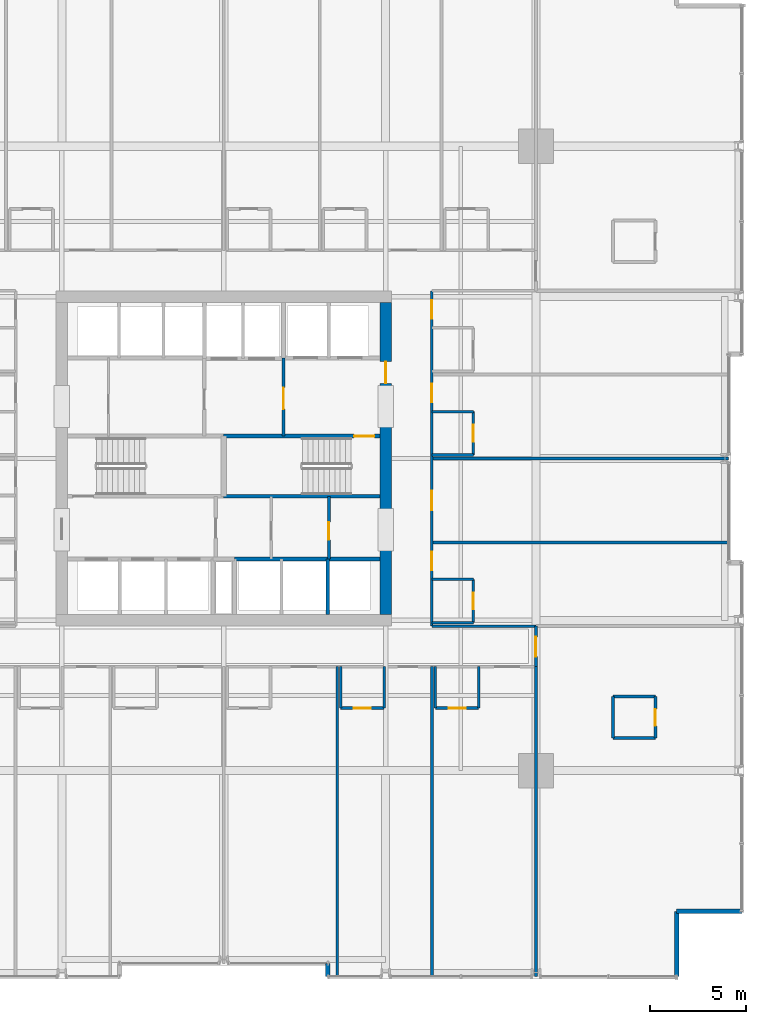
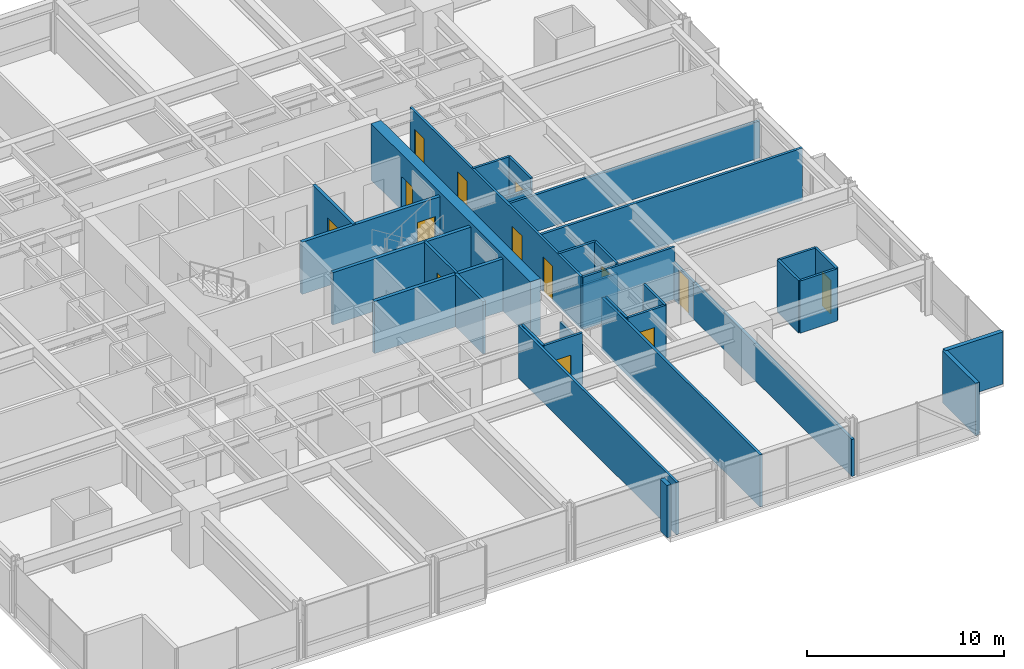
# One storey, part 32 of 39: 34 walls, 14 doors, 14 openings.
"""IFC4 building model written with IfcOpenShell, lengths in metres."""

from ifc_helpers import new_model, si_unit, direction, frame, frame_2d, origin, place, context, subcontext, project, spatial, rectangle, extrude, material, layer, layer_set, type_object, element, fill, save


model = new_model("IFC4")

# Units and contexts
model_context = context("Model", 3, precision=1e-05, world=origin(), true_north=direction((0.0, 1.0)))
body_context = subcontext(model_context, "Body", "Model", "MODEL_VIEW")
ifc_project = project(units=[si_unit("LENGTHUNIT", "METRE"), si_unit("AREAUNIT", "SQUARE_METRE"), si_unit("VOLUMEUNIT", "CUBIC_METRE"), si_unit("PLANEANGLEUNIT", "RADIAN"), si_unit("MASSUNIT", "GRAM", prefix="KILO")], contexts=[model_context])

# Site, building, storey
site_placement = place(None, origin())
site = spatial("IfcSite", under=ifc_project, at=site_placement, CompositionType="ELEMENT")
building_placement = place(site_placement, origin())
building = spatial("IfcBuilding", under=site, at=building_placement, Name="Drelvath Grand Hotel", CompositionType="ELEMENT")
storey_placement = place(building_placement, frame((0.0, 0.0, 40.199951171875)))
storey = spatial("IfcBuildingStorey", under=building, at=storey_placement, Name="L08", CompositionType="ELEMENT", Elevation=40.199951171875)

# Walls
ifc_material_1 = material(Name="Concrete C40/50", Category="concrete")
ifc_layer_1 = layer(ifc_material_1, 0.199951171875)
ifc_layer_set_1 = layer_set([ifc_layer_1], Name="Concrete C40/50")
wall_type_1 = type_object("IfcWallType", Name="Core Hoistway Fire Wall 200", PredefinedType="SOLIDWALL", material=ifc_layer_set_1)
wall_1_placement = place(storey_placement, frame((8.10009765625, 21.780029296875, 0.0), z_axis=(0.0, 0.0, 1.0), x_axis=(-1.0, 0.0, 0.0)))
element("IfcWall", 1, at=wall_1_placement, inside=storey, type_object=wall_type_1, Name="L08 Bank 2 Hoistway Wall", PredefinedType="SOLIDWALL", context=body_context, shape_type="SweptSolid", body=[
    extrude(rectangle(XDim=7.550048828125, YDim=0.199951171875, at=frame_2d((3.77490234375, 0.0))), origin(), (0.0, 0.0, 1.0), 3.239990234375),
])
ifc_layer_2 = layer(ifc_material_1, 0.199951171875)
ifc_layer_set_2 = layer_set([ifc_layer_2], Name="Concrete C40/50")
wall_type_2 = type_object("IfcWallType", Name="Core Shaft Fire Wall 200", PredefinedType="SOLIDWALL", material=ifc_layer_set_2)
wall_2_placement = place(storey_placement, frame((0.0, 25.0400390625, 0.0), z_axis=(0.0, 0.0, 1.0), x_axis=(1.0, 0.0, 0.0)))
element("IfcWall", 2, at=wall_2_placement, inside=storey, type_object=wall_type_2, Name="L08 Stair ST-2 South Wall", PredefinedType="SOLIDWALL", context=body_context, shape_type="SweptSolid", body=[
    extrude(rectangle(XDim=8.10009765625, YDim=0.199951171875, at=frame_2d((4.050048828125, 0.0))), origin(), (0.0, 0.0, 1.0), 3.239990234375),
])

# Wall, opening, door
wall_3_placement = place(storey_placement, frame((8.10009765625, 28.159912109375, 0.0), z_axis=(0.0, 0.0, 1.0), x_axis=(-1.0, 0.0, 0.0)))
wall_3 = element("IfcWall", 3, at=wall_3_placement, inside=storey, type_object=wall_type_2, Name="L08 Stair ST-2 North Wall", PredefinedType="SOLIDWALL", context=body_context, shape_type="SweptSolid", body=[
    extrude(rectangle(XDim=8.10009765625, YDim=0.199951171875, at=frame_2d((4.050048828125, 0.0))), origin(), (0.0, 0.0, 1.0), 3.239990234375),
])
opening_1_placement = place(wall_3_placement, frame((0.280029296875, 0.0, 0.0)))
opening_1 = element("IfcOpeningElement", 4, at=opening_1_placement, cuts=wall_3, Name="Opening D-T1G1-002", PredefinedType="OPENING", context=body_context, shape_type="SweptSolid", body=[
    extrude(rectangle(XDim=1.050048828125, YDim=2.10009765625, at=frame_2d((0.52490234375, 1.050048828125))), frame((0.0, 0.10986328125, 0.0), z_axis=(0.0, -1.0, 0.0), x_axis=(1.0, 0.0, 0.0)), (0.0, 0.0, 1.0), 0.219970703125),
])
ifc_material_2 = material(Name="Painted Steel S275", Category="steel")
door_type_1 = type_object("IfcDoorType", Name="Tower Stairwell Fire Door 1050x2100", OperationType="NOTDEFINED", PredefinedType="DOOR", material=ifc_material_2)
door_1_placement = place(opening_1_placement, origin())
door_1 = element("IfcDoor", 5, at=door_1_placement, inside=storey, type_object=door_type_1, Name="L08 Exit Stair ST-2 Door", OperationType="SINGLE_SWING_LEFT", OverallHeight=2.10009765625, OverallWidth=1.050048828125, PredefinedType="DOOR", context=body_context, shape_type="SweptSolid", body=[
    extrude(rectangle(XDim=1.050048828125, YDim=2.10009765625, at=frame_2d((0.52490234375, 1.050048828125))), frame((0.0, 0.02490234375, 0.0), z_axis=(0.0, -1.0, 0.0), x_axis=(1.0, 0.0, 0.0)), (0.0, 0.0, 1.0), 0.050048828125),
])
fill(opening_1, door_1)

# Walls
ifc_material_3 = material(Name="Gypsum Fireboard Partition")
ifc_layer_3 = layer(ifc_material_3, 0.1650390625)
ifc_layer_set_3 = layer_set([ifc_layer_3], Name="Gypsum Fireboard Partition")
wall_type_3 = type_object("IfcWallType", Name="Core Shaft Partition 165", PredefinedType="PARTITIONING", material=ifc_layer_set_3)
wall_4_placement = place(storey_placement, frame((5.39990234375, 18.89990234375, 0.0), z_axis=(0.0, 0.0, 1.0), x_axis=(0.0, 1.0, 0.0)))
element("IfcWall", 6, at=wall_4_placement, inside=storey, type_object=wall_type_3, Name="L08 Lift PE-5/6 Divider", PredefinedType="PARTITIONING", context=body_context, shape_type="SweptSolid", body=[
    extrude(rectangle(XDim=2.880126953125, YDim=0.1650390625, at=frame_2d((1.43994140625, 0.0))), origin(), (0.0, 0.0, 1.0), 3.239990234375),
])
ifc_layer_4 = layer(ifc_material_3, 0.135009765625)
ifc_layer_set_4 = layer_set([ifc_layer_4], Name="Gypsum Fireboard Partition")
wall_type_4 = type_object("IfcWallType", Name="Corridor Fire Barrier Wall 135", PredefinedType="PARTITIONING", material=ifc_layer_set_4)
wall_5_placement = place(storey_placement, frame((10.800048828125, 18.300048828125, 0.0), z_axis=(0.0, 0.0, 1.0), x_axis=(1.0, 0.0, 0.0)))
element("IfcWall", 7, at=wall_5_placement, inside=storey, type_object=wall_type_4, Name="L08 SE Spur Inner Wall", PredefinedType="PARTITIONING", context=body_context, shape_type="SweptSolid", body=[
    extrude(rectangle(XDim=5.39990234375, YDim=0.135009765625, at=frame_2d((2.699951171875, 0.0))), origin(), (0.0, 0.0, 1.0), 3.239990234375),
])

# Wall, openings, doors
wall_6_placement = place(storey_placement, frame((10.800048828125, 18.300048828125, 0.0), z_axis=(0.0, 0.0, 1.0), x_axis=(0.0, 1.0, 0.0)))
wall_6 = element("IfcWall", 8, at=wall_6_placement, inside=storey, type_object=wall_type_4, Name="L08 East Corridor Wall", PredefinedType="PARTITIONING", context=body_context, shape_type="SweptSolid", body=[
    extrude(rectangle(XDim=17.39990234375, YDim=0.135009765625, at=frame_2d((8.699951171875, 0.0))), origin(), (0.0, 0.0, 1.0), 3.239990234375),
])
opening_2_placement = place(wall_6_placement, frame((2.909912109375, 0.0, 0.0)))
opening_2 = element("IfcOpeningElement", 9, at=opening_2_placement, cuts=wall_6, Name="Opening D-T1G1-058", PredefinedType="OPENING", context=body_context, shape_type="SweptSolid", body=[
    extrude(rectangle(XDim=0.9599609375, YDim=2.14990234375, at=frame_2d((0.47998046875, 1.074951171875))), frame((0.0, 0.077392578125, 0.0), z_axis=(0.0, -1.0, 0.0), x_axis=(1.0, 0.0, 0.0)), (0.0, 0.0, 1.0), 0.155029296875),
])
opening_3_placement = place(wall_6_placement, frame((6.014892578125, 0.0, 0.0)))
opening_3 = element("IfcOpeningElement", 10, at=opening_3_placement, cuts=wall_6, Name="Opening D-T1G1-059", PredefinedType="OPENING", context=body_context, shape_type="SweptSolid", body=[
    extrude(rectangle(XDim=1.02001953125, YDim=2.14990234375, at=frame_2d((0.510009765625, 1.074951171875))), frame((0.0, 0.077392578125, 0.0), z_axis=(0.0, -1.0, 0.0), x_axis=(1.0, 0.0, 0.0)), (0.0, 0.0, 1.0), 0.155029296875),
])
opening_4_placement = place(wall_6_placement, frame((11.610107421875, 0.0, 0.0)))
opening_4 = element("IfcOpeningElement", 11, at=opening_4_placement, cuts=wall_6, Name="Opening D-T1G1-061", PredefinedType="OPENING", context=body_context, shape_type="SweptSolid", body=[
    extrude(rectangle(XDim=0.9599609375, YDim=2.14990234375, at=frame_2d((0.47998046875, 1.074951171875))), frame((0.0, 0.077392578125, 0.0), z_axis=(0.0, -1.0, 0.0), x_axis=(1.0, 0.0, 0.0)), (0.0, 0.0, 1.0), 0.155029296875),
])
opening_5_placement = place(wall_6_placement, frame((15.9599609375, 0.0, 0.0)))
opening_5 = element("IfcOpeningElement", 12, at=opening_5_placement, cuts=wall_6, Name="Opening D-T1G1-063", PredefinedType="OPENING", context=body_context, shape_type="SweptSolid", body=[
    extrude(rectangle(XDim=0.9599609375, YDim=2.14990234375, at=frame_2d((0.47998046875, 1.074951171875))), frame((0.0, 0.077392578125, 0.0), z_axis=(0.0, -1.0, 0.0), x_axis=(1.0, 0.0, 0.0)), (0.0, 0.0, 1.0), 0.155029296875),
])
ifc_material_4 = material(Name="Hardwood Walnut Timber", Category="wood")
door_type_2 = type_object("IfcDoorType", Name="Amenity Meeting Fire Door 1020x2150", OperationType="NOTDEFINED", PredefinedType="DOOR", material=ifc_material_4)
door_2_placement = place(opening_3_placement, origin())
door_2 = element("IfcDoor", 13, at=door_2_placement, inside=storey, type_object=door_type_2, Name="L08 Concierge Administration Office Entry Door", OperationType="SINGLE_SWING_RIGHT", OverallHeight=2.14990234375, OverallWidth=1.02001953125, PredefinedType="DOOR", context=body_context, shape_type="SweptSolid", body=[
    extrude(rectangle(XDim=1.02001953125, YDim=2.14990234375, at=frame_2d((0.510009765625, 1.074951171875))), frame((0.0, 0.02490234375, 0.0), z_axis=(0.0, -1.0, 0.0), x_axis=(1.0, 0.0, 0.0)), (0.0, 0.0, 1.0), 0.050048828125),
])
fill(opening_3, door_2)
door_type_3 = type_object("IfcDoorType", Name="Guestroom Entrance Fire Door 960x2150", OperationType="NOTDEFINED", PredefinedType="DOOR", material=ifc_material_4)
door_3_placement = place(opening_2_placement, origin())
door_3 = element("IfcDoor", 14, at=door_3_placement, inside=storey, type_object=door_type_3, Name="L08 King Guest Room Entry Door", OperationType="SINGLE_SWING_LEFT", OverallHeight=2.14990234375, OverallWidth=0.9599609375, PredefinedType="DOOR", context=body_context, shape_type="SweptSolid", body=[
    extrude(rectangle(XDim=0.9599609375, YDim=2.14990234375, at=frame_2d((0.47998046875, 1.074951171875))), frame((0.0, 0.02490234375, 0.0), z_axis=(0.0, -1.0, 0.0), x_axis=(1.0, 0.0, 0.0)), (0.0, 0.0, 1.0), 0.050048828125),
])
fill(opening_2, door_3)
door_4_placement = place(opening_4_placement, origin())
door_4 = element("IfcDoor", 15, at=door_4_placement, inside=storey, type_object=door_type_3, Name="L08 King Guest Room Entry Door", OperationType="SINGLE_SWING_RIGHT", OverallHeight=2.14990234375, OverallWidth=0.9599609375, PredefinedType="DOOR", context=body_context, shape_type="SweptSolid", body=[
    extrude(rectangle(XDim=0.9599609375, YDim=2.14990234375, at=frame_2d((0.47998046875, 1.074951171875))), frame((0.0, 0.02490234375, 0.0), z_axis=(0.0, -1.0, 0.0), x_axis=(1.0, 0.0, 0.0)), (0.0, 0.0, 1.0), 0.050048828125),
])
fill(opening_4, door_4)
door_5_placement = place(opening_5_placement, origin())
door_5 = element("IfcDoor", 16, at=door_5_placement, inside=storey, type_object=door_type_3, Name="L08 King Guest Room Entry Door", OperationType="SINGLE_SWING_RIGHT", OverallHeight=2.14990234375, OverallWidth=0.9599609375, PredefinedType="DOOR", context=body_context, shape_type="SweptSolid", body=[
    extrude(rectangle(XDim=0.9599609375, YDim=2.14990234375, at=frame_2d((0.47998046875, 1.074951171875))), frame((0.0, 0.02490234375, 0.0), z_axis=(0.0, -1.0, 0.0), x_axis=(1.0, 0.0, 0.0)), (0.0, 0.0, 1.0), 0.050048828125),
])
fill(opening_5, door_5)

# Wall, opening, door
wall_7_placement = place(storey_placement, frame((16.199951171875, 16.199951171875, 0.0), z_axis=(0.0, 0.0, 1.0), x_axis=(0.0, 1.0, 0.0)))
wall_7 = element("IfcWall", 17, at=wall_7_placement, inside=storey, type_object=wall_type_4, Name="L08 South Corridor East End", PredefinedType="PARTITIONING", context=body_context, shape_type="SweptSolid", body=[
    extrude(rectangle(XDim=2.10009765625, YDim=0.135009765625, at=frame_2d((1.050048828125, 0.0))), origin(), (0.0, 0.0, 1.0), 2.29833984375),
])
opening_6_placement = place(wall_7_placement, frame((0.52001953125, 0.0, 0.0)))
opening_6 = element("IfcOpeningElement", 18, at=opening_6_placement, cuts=wall_7, Name="Opening D-T1G1-021", PredefinedType="OPENING", context=body_context, shape_type="SweptSolid", body=[
    extrude(rectangle(XDim=1.02001953125, YDim=2.14990234375, at=frame_2d((0.510009765625, 1.074951171875))), frame((0.0, 0.077392578125, 0.0), z_axis=(0.0, -1.0, 0.0), x_axis=(1.0, 0.0, 0.0)), (0.0, 0.0, 1.0), 0.155029296875),
])
door_6_placement = place(opening_6_placement, origin())
door_6 = element("IfcDoor", 19, at=door_6_placement, inside=storey, type_object=door_type_2, Name="L08 Corner Suite Entry Door", OperationType="SINGLE_SWING_RIGHT", OverallHeight=2.14990234375, OverallWidth=1.02001953125, PredefinedType="DOOR", context=body_context, shape_type="SweptSolid", body=[
    extrude(rectangle(XDim=1.02001953125, YDim=2.14990234375, at=frame_2d((0.510009765625, 1.074951171875))), frame((0.0, 0.02490234375, 0.0), z_axis=(0.0, -1.0, 0.0), x_axis=(1.0, 0.0, 0.0)), (0.0, 0.0, 1.0), 0.050048828125),
])
fill(opening_6, door_6)

ifc_material_5 = material(Name="Moisture-Resistant Gypsum Board")
ifc_layer_5 = layer(ifc_material_5, 0.139892578125)
ifc_layer_set_5 = layer_set([ifc_layer_5], Name="Moisture-Resistant Gypsum Board")
wall_type_5 = type_object("IfcWallType", Name="En-Suite Plumbing Wall 140", PredefinedType="PLUMBINGWALL", material=ifc_layer_set_5)
wall_8_placement = place(storey_placement, frame((5.4599609375, 21.780029296875, 0.0), z_axis=(0.0, 0.0, 1.0), x_axis=(0.0, 1.0, 0.0)))
wall_8 = element("IfcWall", 20, at=wall_8_placement, inside=storey, type_object=wall_type_5, Name="L08 Staff WC East Wall", PredefinedType="PLUMBINGWALL", context=body_context, shape_type="SweptSolid", body=[
    extrude(rectangle(XDim=3.260009765625, YDim=0.139892578125, at=frame_2d((1.6298828125, 0.0))), origin(), (0.0, 0.0, 1.0), 3.239990234375),
])
opening_7_placement = place(wall_8_placement, frame((1.0, 0.0, 0.0)))
opening_7 = element("IfcOpeningElement", 21, at=opening_7_placement, cuts=wall_8, Name="Opening D-T1G1-017", PredefinedType="OPENING", context=body_context, shape_type="SweptSolid", body=[
    extrude(rectangle(XDim=0.919921875, YDim=2.10009765625, at=frame_2d((0.4599609375, 1.050048828125))), frame((0.0, 0.079833984375, 0.0), z_axis=(0.0, -1.0, 0.0), x_axis=(1.0, 0.0, 0.0)), (0.0, 0.0, 1.0), 0.159912109375),
])
door_type_4 = type_object("IfcDoorType", Name="Staff Utility Door 920x2100", OperationType="NOTDEFINED", PredefinedType="DOOR", material=ifc_material_2)
door_7_placement = place(opening_7_placement, origin())
door_7 = element("IfcDoor", 22, at=door_7_placement, inside=storey, type_object=door_type_4, Name="L08 Janitor Supply Door", OperationType="SINGLE_SWING_RIGHT", OverallHeight=2.10009765625, OverallWidth=0.919921875, PredefinedType="DOOR", context=body_context, shape_type="SweptSolid", body=[
    extrude(rectangle(XDim=0.919921875, YDim=2.10009765625, at=frame_2d((0.4599609375, 1.050048828125))), frame((0.0, 0.02490234375, 0.0), z_axis=(0.0, -1.0, 0.0), x_axis=(1.0, 0.0, 0.0)), (0.0, 0.0, 1.0), 0.050048828125),
])
fill(opening_7, door_7)

# Walls
for number, where, z_axis, x_axis, name in (
    (23, (20.199951171875, 12.5, 0.0), (0.0, 0.0, 1.0), (1.0, 0.0, 0.0), "L08 Corner En-Suite South"),
    (24, (20.199951171875, 14.64990234375, 0.0), (0.0, 0.0, 1.0), (1.0, 0.0, 0.0), "L08 Corner En-Suite North"),
):
    element("IfcWall", number, at=place(storey_placement, frame(where, z_axis=z_axis, x_axis=x_axis)), inside=storey, type_object=wall_type_5, Name=name, PredefinedType="PLUMBINGWALL", context=body_context, shape_type="SweptSolid", body=[
        extrude(rectangle(XDim=2.199951171875, YDim=0.139892578125, at=frame_2d((1.10009765625, 0.0))), origin(), (0.0, 0.0, 1.0), 3.239990234375),
    ])
wall_9_placement = place(storey_placement, frame((20.199951171875, 12.5, 0.0), z_axis=(0.0, 0.0, 1.0), x_axis=(0.0, 1.0, 0.0)))
element("IfcWall", 25, at=wall_9_placement, inside=storey, type_object=wall_type_5, Name="L08 Corner En-Suite West", PredefinedType="PLUMBINGWALL", context=body_context, shape_type="SweptSolid", body=[
    extrude(rectangle(XDim=2.14990234375, YDim=0.139892578125, at=frame_2d((1.074951171875, 0.0))), origin(), (0.0, 0.0, 1.0), 3.239990234375),
])

# Wall, opening, door
wall_10_placement = place(storey_placement, frame((22.39990234375, 12.5, 0.0), z_axis=(0.0, 0.0, 1.0), x_axis=(0.0, 1.0, 0.0)))
wall_10 = element("IfcWall", 26, at=wall_10_placement, inside=storey, type_object=wall_type_5, Name="L08 Corner En-Suite East", PredefinedType="PLUMBINGWALL", context=body_context, shape_type="SweptSolid", body=[
    extrude(rectangle(XDim=2.14990234375, YDim=0.139892578125, at=frame_2d((1.074951171875, 0.0))), origin(), (0.0, 0.0, 1.0), 3.239990234375),
])
opening_8_placement = place(wall_10_placement, frame((0.6201171875, 0.0, 0.0)))
opening_8 = element("IfcOpeningElement", 27, at=opening_8_placement, cuts=wall_10, Name="Opening D-T1G1-020", PredefinedType="OPENING", context=body_context, shape_type="SweptSolid", body=[
    extrude(rectangle(XDim=0.8798828125, YDim=2.10009765625, at=frame_2d((0.43994140625, 1.050048828125))), frame((0.0, 0.079833984375, 0.0), z_axis=(0.0, -1.0, 0.0), x_axis=(1.0, 0.0, 0.0)), (0.0, 0.0, 1.0), 0.159912109375),
])
door_type_5 = type_object("IfcDoorType", Name="En-Suite Bathroom Door 880x2100", OperationType="NOTDEFINED", PredefinedType="DOOR", material=ifc_material_4)
door_8_placement = place(opening_8_placement, origin())
door_8 = element("IfcDoor", 28, at=door_8_placement, inside=storey, type_object=door_type_5, Name="L08 Corner En-Suite Door", OperationType="SINGLE_SWING_LEFT", OverallHeight=2.10009765625, OverallWidth=0.8798828125, PredefinedType="DOOR", context=body_context, shape_type="SweptSolid", body=[
    extrude(rectangle(XDim=0.8798828125, YDim=2.10009765625, at=frame_2d((0.43994140625, 1.050048828125))), frame((0.0, 0.02490234375, 0.0), z_axis=(0.0, -1.0, 0.0), x_axis=(1.0, 0.0, 0.0)), (0.0, 0.0, 1.0), 0.050048828125),
])
fill(opening_8, door_8)

# Walls
wall_11_placement = place(storey_placement, frame((6.07080078125, 16.199951171875, 0.0), z_axis=(0.0, 0.0, 1.0), x_axis=(0.0, -1.0, 0.0)))
element("IfcWall", 29, at=wall_11_placement, inside=storey, type_object=wall_type_5, Name="L08 En-Suite Left Wall", PredefinedType="PLUMBINGWALL", context=body_context, shape_type="SweptSolid", body=[
    extrude(rectangle(XDim=2.14990234375, YDim=0.139892578125, at=frame_2d((1.074951171875, 0.0))), origin(), (0.0, 0.0, 1.0), 3.239990234375),
])
wall_12_placement = place(storey_placement, frame((8.32080078125, 16.199951171875, 0.0), z_axis=(0.0, 0.0, 1.0), x_axis=(0.0, -1.0, 0.0)))
element("IfcWall", 30, at=wall_12_placement, inside=storey, type_object=wall_type_5, Name="L08 En-Suite Right Wall", PredefinedType="PLUMBINGWALL", context=body_context, shape_type="SweptSolid", body=[
    extrude(rectangle(XDim=2.14990234375, YDim=0.139892578125, at=frame_2d((1.074951171875, 0.0))), origin(), (0.0, 0.0, 1.0), 2.617431640625),
])

# Wall, opening, door
wall_13_placement = place(storey_placement, frame((6.07080078125, 14.050048828125, 0.0), z_axis=(0.0, 0.0, 1.0), x_axis=(1.0, 0.0, 0.0)))
wall_13 = element("IfcWall", 31, at=wall_13_placement, inside=storey, type_object=wall_type_5, Name="L08 En-Suite Front Wall", PredefinedType="PLUMBINGWALL", context=body_context, shape_type="SweptSolid", body=[
    extrude(rectangle(XDim=2.25, YDim=0.139892578125, at=frame_2d((1.125, 0.0))), origin(), (0.0, 0.0, 1.0), 3.239990234375),
])
opening_9_placement = place(wall_13_placement, frame((0.68505859375, 0.0, 0.0)))
opening_9 = element("IfcOpeningElement", 32, at=opening_9_placement, cuts=wall_13, Name="Opening D-T1G1-034", PredefinedType="OPENING", context=body_context, shape_type="SweptSolid", body=[
    extrude(rectangle(XDim=0.8798828125, YDim=2.10009765625, at=frame_2d((0.43994140625, 1.050048828125))), frame((0.0, 0.079833984375, 0.0), z_axis=(0.0, -1.0, 0.0), x_axis=(1.0, 0.0, 0.0)), (0.0, 0.0, 1.0), 0.159912109375),
])
door_9_placement = place(opening_9_placement, origin())
door_9 = element("IfcDoor", 33, at=door_9_placement, inside=storey, type_object=door_type_5, Name="L08 En-Suite Bathroom Door", OperationType="SINGLE_SWING_LEFT", OverallHeight=2.10009765625, OverallWidth=0.8798828125, PredefinedType="DOOR", context=body_context, shape_type="SweptSolid", body=[
    extrude(rectangle(XDim=0.8798828125, YDim=2.10009765625, at=frame_2d((0.43994140625, 1.050048828125))), frame((0.0, 0.02490234375, 0.0), z_axis=(0.0, -1.0, 0.0), x_axis=(1.0, 0.0, 0.0)), (0.0, 0.0, 1.0), 0.050048828125),
])
fill(opening_9, door_9)

# Walls
for number, where, z_axis, x_axis, name in (
    (34, (10.97998046875, 16.199951171875, 0.0), (0.0, 0.0, 1.0), (0.0, -1.0, 0.0), "L08 En-Suite Left Wall"),
    (35, (13.22998046875, 16.199951171875, 0.0), (0.0, 0.0, 1.0), (0.0, -1.0, 0.0), "L08 En-Suite Right Wall"),
):
    element("IfcWall", number, at=place(storey_placement, frame(where, z_axis=z_axis, x_axis=x_axis)), inside=storey, type_object=wall_type_5, Name=name, PredefinedType="PLUMBINGWALL", context=body_context, shape_type="SweptSolid", body=[
        extrude(rectangle(XDim=2.14990234375, YDim=0.139892578125, at=frame_2d((1.074951171875, 0.0))), origin(), (0.0, 0.0, 1.0), 3.239990234375),
    ])

# Wall, opening, door
wall_14_placement = place(storey_placement, frame((10.97998046875, 14.050048828125, 0.0), z_axis=(0.0, 0.0, 1.0), x_axis=(1.0, 0.0, 0.0)))
wall_14 = element("IfcWall", 36, at=wall_14_placement, inside=storey, type_object=wall_type_5, Name="L08 En-Suite Front Wall", PredefinedType="PLUMBINGWALL", context=body_context, shape_type="SweptSolid", body=[
    extrude(rectangle(XDim=2.25, YDim=0.139892578125, at=frame_2d((1.125, 0.0))), origin(), (0.0, 0.0, 1.0), 3.239990234375),
])
opening_10_placement = place(wall_14_placement, frame((0.68505859375, 0.0, 0.0)))
opening_10 = element("IfcOpeningElement", 37, at=opening_10_placement, cuts=wall_14, Name="Opening D-T1G1-036", PredefinedType="OPENING", context=body_context, shape_type="SweptSolid", body=[
    extrude(rectangle(XDim=0.8798828125, YDim=2.10009765625, at=frame_2d((0.43994140625, 1.050048828125))), frame((0.0, 0.079833984375, 0.0), z_axis=(0.0, -1.0, 0.0), x_axis=(1.0, 0.0, 0.0)), (0.0, 0.0, 1.0), 0.159912109375),
])
door_10_placement = place(opening_10_placement, origin())
door_10 = element("IfcDoor", 38, at=door_10_placement, inside=storey, type_object=door_type_5, Name="L08 En-Suite Bathroom Door", OperationType="SINGLE_SWING_LEFT", OverallHeight=2.10009765625, OverallWidth=0.8798828125, PredefinedType="DOOR", context=body_context, shape_type="SweptSolid", body=[
    extrude(rectangle(XDim=0.8798828125, YDim=2.10009765625, at=frame_2d((0.43994140625, 1.050048828125))), frame((0.0, 0.02490234375, 0.0), z_axis=(0.0, -1.0, 0.0), x_axis=(1.0, 0.0, 0.0)), (0.0, 0.0, 1.0), 0.050048828125),
])
fill(opening_10, door_10)

# Walls
wall_15_placement = place(storey_placement, frame((10.800048828125, 18.47998046875, 0.0), z_axis=(0.0, 0.0, 1.0), x_axis=(1.0, 0.0, 0.0)))
element("IfcWall", 39, at=wall_15_placement, inside=storey, type_object=wall_type_5, Name="L08 En-Suite Left Wall", PredefinedType="PLUMBINGWALL", context=body_context, shape_type="SweptSolid", body=[
    extrude(rectangle(XDim=2.14990234375, YDim=0.139892578125, at=frame_2d((1.074951171875, 0.0))), origin(), (0.0, 0.0, 1.0), 2.617431640625),
])
wall_16_placement = place(storey_placement, frame((10.800048828125, 20.72998046875, 0.0), z_axis=(0.0, 0.0, 1.0), x_axis=(1.0, 0.0, 0.0)))
element("IfcWall", 40, at=wall_16_placement, inside=storey, type_object=wall_type_5, Name="L08 En-Suite Right Wall", PredefinedType="PLUMBINGWALL", context=body_context, shape_type="SweptSolid", body=[
    extrude(rectangle(XDim=2.14990234375, YDim=0.139892578125, at=frame_2d((1.074951171875, 0.0))), origin(), (0.0, 0.0, 1.0), 3.239990234375),
])

# Wall, opening, door
wall_17_placement = place(storey_placement, frame((12.949951171875, 18.47998046875, 0.0), z_axis=(0.0, 0.0, 1.0), x_axis=(0.0, 1.0, 0.0)))
wall_17 = element("IfcWall", 41, at=wall_17_placement, inside=storey, type_object=wall_type_5, Name="L08 En-Suite Front Wall", PredefinedType="PLUMBINGWALL", context=body_context, shape_type="SweptSolid", body=[
    extrude(rectangle(XDim=2.25, YDim=0.139892578125, at=frame_2d((1.125, 0.0))), origin(), (0.0, 0.0, 1.0), 3.239990234375),
])
opening_11_placement = place(wall_17_placement, frame((0.68505859375, 0.0, 0.0)))
opening_11 = element("IfcOpeningElement", 42, at=opening_11_placement, cuts=wall_17, Name="Opening D-T1G1-057", PredefinedType="OPENING", context=body_context, shape_type="SweptSolid", body=[
    extrude(rectangle(XDim=0.8798828125, YDim=2.10009765625, at=frame_2d((0.43994140625, 1.050048828125))), frame((0.0, 0.079833984375, 0.0), z_axis=(0.0, -1.0, 0.0), x_axis=(1.0, 0.0, 0.0)), (0.0, 0.0, 1.0), 0.159912109375),
])
door_11_placement = place(opening_11_placement, origin())
door_11 = element("IfcDoor", 43, at=door_11_placement, inside=storey, type_object=door_type_5, Name="L08 En-Suite Bathroom Door", OperationType="SINGLE_SWING_RIGHT", OverallHeight=2.10009765625, OverallWidth=0.8798828125, PredefinedType="DOOR", context=body_context, shape_type="SweptSolid", body=[
    extrude(rectangle(XDim=0.8798828125, YDim=2.10009765625, at=frame_2d((0.43994140625, 1.050048828125))), frame((0.0, 0.02490234375, 0.0), z_axis=(0.0, -1.0, 0.0), x_axis=(1.0, 0.0, 0.0)), (0.0, 0.0, 1.0), 0.050048828125),
])
fill(opening_11, door_11)

# Walls
wall_18_placement = place(storey_placement, frame((10.800048828125, 27.179931640625, 0.0), z_axis=(0.0, 0.0, 1.0), x_axis=(1.0, 0.0, 0.0)))
element("IfcWall", 44, at=wall_18_placement, inside=storey, type_object=wall_type_5, Name="L08 En-Suite Left Wall", PredefinedType="PLUMBINGWALL", context=body_context, shape_type="SweptSolid", body=[
    extrude(rectangle(XDim=2.14990234375, YDim=0.139892578125, at=frame_2d((1.074951171875, 0.0))), origin(), (0.0, 0.0, 1.0), 2.617431640625),
])
wall_19_placement = place(storey_placement, frame((10.800048828125, 29.429931640625, 0.0), z_axis=(0.0, 0.0, 1.0), x_axis=(1.0, 0.0, 0.0)))
element("IfcWall", 45, at=wall_19_placement, inside=storey, type_object=wall_type_5, Name="L08 En-Suite Right Wall", PredefinedType="PLUMBINGWALL", context=body_context, shape_type="SweptSolid", body=[
    extrude(rectangle(XDim=2.14990234375, YDim=0.139892578125, at=frame_2d((1.074951171875, 0.0))), origin(), (0.0, 0.0, 1.0), 3.239990234375),
])

# Wall, opening, door
wall_20_placement = place(storey_placement, frame((12.949951171875, 27.179931640625, 0.0), z_axis=(0.0, 0.0, 1.0), x_axis=(0.0, 1.0, 0.0)))
wall_20 = element("IfcWall", 46, at=wall_20_placement, inside=storey, type_object=wall_type_5, Name="L08 En-Suite Front Wall", PredefinedType="PLUMBINGWALL", context=body_context, shape_type="SweptSolid", body=[
    extrude(rectangle(XDim=2.25, YDim=0.139892578125, at=frame_2d((1.125, 0.0))), origin(), (0.0, 0.0, 1.0), 3.239990234375),
])
opening_12_placement = place(wall_20_placement, frame((0.68505859375, 0.0, 0.0)))
opening_12 = element("IfcOpeningElement", 47, at=opening_12_placement, cuts=wall_20, Name="Opening D-T1G1-060", PredefinedType="OPENING", context=body_context, shape_type="SweptSolid", body=[
    extrude(rectangle(XDim=0.8798828125, YDim=2.10009765625, at=frame_2d((0.43994140625, 1.050048828125))), frame((0.0, 0.079833984375, 0.0), z_axis=(0.0, -1.0, 0.0), x_axis=(1.0, 0.0, 0.0)), (0.0, 0.0, 1.0), 0.159912109375),
])
door_12_placement = place(opening_12_placement, origin())
door_12 = element("IfcDoor", 48, at=door_12_placement, inside=storey, type_object=door_type_5, Name="L08 En-Suite Bathroom Door", OperationType="SINGLE_SWING_LEFT", OverallHeight=2.10009765625, OverallWidth=0.8798828125, PredefinedType="DOOR", context=body_context, shape_type="SweptSolid", body=[
    extrude(rectangle(XDim=0.8798828125, YDim=2.10009765625, at=frame_2d((0.43994140625, 1.050048828125))), frame((0.0, 0.02490234375, 0.0), z_axis=(0.0, -1.0, 0.0), x_axis=(1.0, 0.0, 0.0)), (0.0, 0.0, 1.0), 0.050048828125),
])
fill(opening_12, door_12)

ifc_layer_6 = layer(ifc_material_3, 0.179931640625)
ifc_layer_set_6 = layer_set([ifc_layer_6], Name="Gypsum Fireboard Partition")
wall_type_6 = type_object("IfcWallType", Name="FSAE Smoke Lobby Fire Wall 180", PredefinedType="SOLIDWALL", material=ifc_layer_set_6)
wall_21_placement = place(storey_placement, frame((3.10009765625, 28.159912109375, 0.0), z_axis=(0.0, 0.0, 1.0), x_axis=(0.0, 1.0, 0.0)))
wall_21 = element("IfcWall", 49, at=wall_21_placement, inside=storey, type_object=wall_type_6, Name="L08 FSAE Smoke Lobby West Wall", PredefinedType="SOLIDWALL", context=body_context, shape_type="SweptSolid", body=[
    extrude(rectangle(XDim=4.06005859375, YDim=0.179931640625, at=frame_2d((2.030029296875, 0.0))), origin(), (0.0, 0.0, 1.0), 3.239990234375),
])
opening_13_placement = place(wall_21_placement, frame((1.39990234375, 0.0, 0.0)))
opening_13 = element("IfcOpeningElement", 50, at=opening_13_placement, cuts=wall_21, Name="Opening D-T1G1-005", PredefinedType="OPENING", context=body_context, shape_type="SweptSolid", body=[
    extrude(rectangle(XDim=1.1201171875, YDim=2.10009765625, at=frame_2d((0.56005859375, 1.050048828125))), frame((0.0, 0.099853515625, 0.0), z_axis=(0.0, -1.0, 0.0), x_axis=(1.0, 0.0, 0.0)), (0.0, 0.0, 1.0), 0.199951171875),
])
door_type_6 = type_object("IfcDoorType", Name="FSAE Smoke Lobby Fire Door 1120x2100", OperationType="NOTDEFINED", PredefinedType="DOOR", material=ifc_material_2)
door_13_placement = place(opening_13_placement, origin())
door_13 = element("IfcDoor", 51, at=door_13_placement, inside=storey, type_object=door_type_6, Name="L08 FSAE Lobby Service Vestibule Door", OperationType="SINGLE_SWING_RIGHT", OverallHeight=2.10009765625, OverallWidth=1.1201171875, PredefinedType="DOOR", context=body_context, shape_type="SweptSolid", body=[
    extrude(rectangle(XDim=1.1201171875, YDim=2.10009765625, at=frame_2d((0.56005859375, 1.050048828125))), frame((0.0, 0.02490234375, 0.0), z_axis=(0.0, -1.0, 0.0), x_axis=(1.0, 0.0, 0.0)), (0.0, 0.0, 1.0), 0.050048828125),
])
fill(opening_13, door_13)

# Walls
ifc_material_6 = material(Name="Gypsum Acoustic Partition")
ifc_layer_7 = layer(ifc_material_6, 0.14990234375)
ifc_layer_set_7 = layer_set([ifc_layer_7], Name="Gypsum Acoustic Partition")
wall_type_7 = type_object("IfcWallType", Name="Guestroom Demising Wall 150", PredefinedType="PARTITIONING", material=ifc_layer_set_7)
for number, where, z_axis, x_axis, name in (
    (52, (5.890869140625, 0.1201171875, 0.0), (0.0, 0.0, 1.0), (0.0, 1.0, 0.0), "L08 South Demising 4"),
    (53, (10.800048828125, 0.1201171875, 0.0), (0.0, 0.0, 1.0), (0.0, 1.0, 0.0), "L08 South Demising 5"),
):
    element("IfcWall", number, at=place(storey_placement, frame(where, z_axis=z_axis, x_axis=x_axis)), inside=storey, type_object=wall_type_7, Name=name, PredefinedType="PARTITIONING", context=body_context, shape_type="SweptSolid", body=[
        extrude(rectangle(XDim=16.079833984375, YDim=0.14990234375, at=frame_2d((8.0400390625, 0.0))), origin(), (0.0, 0.0, 1.0), 3.239990234375),
    ])
wall_22_placement = place(storey_placement, frame((10.800048828125, 22.64990234375, 0.0), z_axis=(0.0, 0.0, 1.0), x_axis=(1.0, 0.0, 0.0)))
element("IfcWall", 54, at=wall_22_placement, inside=storey, type_object=wall_type_7, Name="L08 East Demising 1", PredefinedType="PARTITIONING", context=body_context, shape_type="SweptSolid", body=[
    extrude(rectangle(XDim=15.39990234375, YDim=0.14990234375, at=frame_2d((7.699951171875, 0.0))), origin(), (0.0, 0.0, 1.0), 3.239990234375),
])
wall_23_placement = place(storey_placement, frame((10.800048828125, 27.0, 0.0), z_axis=(0.0, 0.0, 1.0), x_axis=(1.0, 0.0, 0.0)))
element("IfcWall", 55, at=wall_23_placement, inside=storey, type_object=wall_type_7, Name="L08 East Demising 2", PredefinedType="PARTITIONING", context=body_context, shape_type="SweptSolid", body=[
    extrude(rectangle(XDim=15.39990234375, YDim=0.14990234375, at=frame_2d((7.699951171875, 0.0))), origin(), (0.0, 0.0, 1.0), 2.29833984375),
])

# Wall, opening, door
ifc_material_7 = material(Name="Concrete f'c 70 MPa", Category="concrete")
ifc_layer_8 = layer(ifc_material_7, 0.60009765625)
ifc_layer_set_8 = layer_set([ifc_layer_8], Name="Concrete f'c 70 MPa")
wall_type_8 = type_object("IfcWallType", Name="Lower Core RC Shear Wall 600", PredefinedType="SHEAR", material=ifc_layer_set_8)
wall_24_placement = place(storey_placement, frame((8.39990234375, 35.10009765625, 0.0), z_axis=(0.0, 0.0, 1.0), x_axis=(0.0, -1.0, 0.0)))
wall_24 = element("IfcWall", 56, at=wall_24_placement, inside=storey, type_object=wall_type_8, Name="L08 Central Core Shear Wall E", PredefinedType="SHEAR", context=body_context, shape_type="SweptSolid", body=[
    extrude(rectangle(XDim=16.2001953125, YDim=0.60009765625, at=frame_2d((8.10009765625, 0.0))), origin(), (0.0, 0.0, 1.0), 3.5),
])
opening_14_placement = place(wall_24_placement, frame((3.080078125, 0.0, 0.0)))
opening_14 = element("IfcOpeningElement", 57, at=opening_14_placement, cuts=wall_24, Name="Opening D-T1G1-006", PredefinedType="OPENING", context=body_context, shape_type="SweptSolid", body=[
    extrude(rectangle(XDim=1.1201171875, YDim=2.10009765625, at=frame_2d((0.56005859375, 1.050048828125))), frame((0.0, 0.31005859375, 0.0), z_axis=(0.0, -1.0, 0.0), x_axis=(1.0, 0.0, 0.0)), (0.0, 0.0, 1.0), 0.6201171875),
])
door_14_placement = place(opening_14_placement, origin())
door_14 = element("IfcDoor", 58, at=door_14_placement, inside=storey, type_object=door_type_6, Name="L08 FSAE Lobby East Corridor Door", OperationType="SINGLE_SWING_LEFT", OverallHeight=2.10009765625, OverallWidth=1.1201171875, PredefinedType="DOOR", context=body_context, shape_type="SweptSolid", body=[
    extrude(rectangle(XDim=1.1201171875, YDim=2.10009765625, at=frame_2d((0.56005859375, 1.050048828125))), frame((0.0, 0.02490234375, 0.0), z_axis=(0.0, -1.0, 0.0), x_axis=(1.0, 0.0, 0.0)), (0.0, 0.0, 1.0), 0.050048828125),
])
fill(opening_14, door_14)

# Walls
ifc_layer_9 = layer(ifc_material_6, 0.1650390625)
ifc_layer_set_9 = layer_set([ifc_layer_9], Name="Gypsum Acoustic Partition")
wall_type_9 = type_object("IfcWallType", Name="Suite Demising Wall 165", PredefinedType="PARTITIONING", material=ifc_layer_set_9)
wall_25_placement = place(storey_placement, frame((16.199951171875, 0.1201171875, 0.0), z_axis=(0.0, 0.0, 1.0), x_axis=(0.0, 1.0, 0.0)))
element("IfcWall", 59, at=wall_25_placement, inside=storey, type_object=wall_type_9, Name="L08 SE Wing Boundary Wall", PredefinedType="PARTITIONING", context=body_context, shape_type="SweptSolid", body=[
    extrude(rectangle(XDim=16.079833984375, YDim=0.1650390625, at=frame_2d((8.0400390625, 0.0))), origin(), (0.0, 0.0, 1.0), 2.29833984375),
])
ifc_material_8 = material(Name="Pale-Metal Insulated Aluminium Spandrel Assembly", Category="aluminium")
ifc_layer_10 = layer(ifc_material_8, 0.239990234375)
ifc_layer_set_10 = layer_set([ifc_layer_10], Name="Pale-Metal Insulated Aluminium Spandrel Assembly")
wall_type_10 = type_object("IfcWallType", Name="Tower Insulated Metal Spandrel Closure Wall 240", PredefinedType="STANDARD", material=ifc_layer_set_10)
for number, where, z_axis, x_axis, name in (
    (60, (26.8798828125, 3.5, 0.0), (0.0, 0.0, 1.0), (-1.0, 0.0, 0.0), "L08 Notched Corner Return Spandrel Wall CSE1"),
    (61, (23.5, 3.5, 0.0), (0.0, 0.0, 1.0), (0.0, -1.0, 0.0), "L08 Notched Corner Return Spandrel Wall CSE2"),
):
    element("IfcWall", number, at=place(storey_placement, frame(where, z_axis=z_axis, x_axis=x_axis)), inside=storey, type_object=wall_type_10, Name=name, PredefinedType="STANDARD", context=body_context, shape_type="SweptSolid", body=[
        extrude(rectangle(XDim=3.3798828125, YDim=0.239990234375, at=frame_2d((1.68994140625, 0.0))), origin(), (0.0, 0.0, 1.0), 3.239990234375),
    ])
wall_26_placement = place(storey_placement, frame((5.39990234375, 0.1201171875, 0.0), z_axis=(0.0, 0.0, 1.0), x_axis=(0.0, 1.0, 0.0)))
element("IfcWall", 62, at=wall_26_placement, inside=storey, type_object=wall_type_10, Name="L08 Notched Corner Return Spandrel Wall RS1", PredefinedType="STANDARD", context=body_context, shape_type="SweptSolid", body=[
    extrude(rectangle(XDim=0.679931640625, YDim=0.239990234375, at=frame_2d((0.33984375, 0.0))), origin(), (0.0, 0.0, 1.0), 3.239990234375),
])

save(model, "model.ifc")
